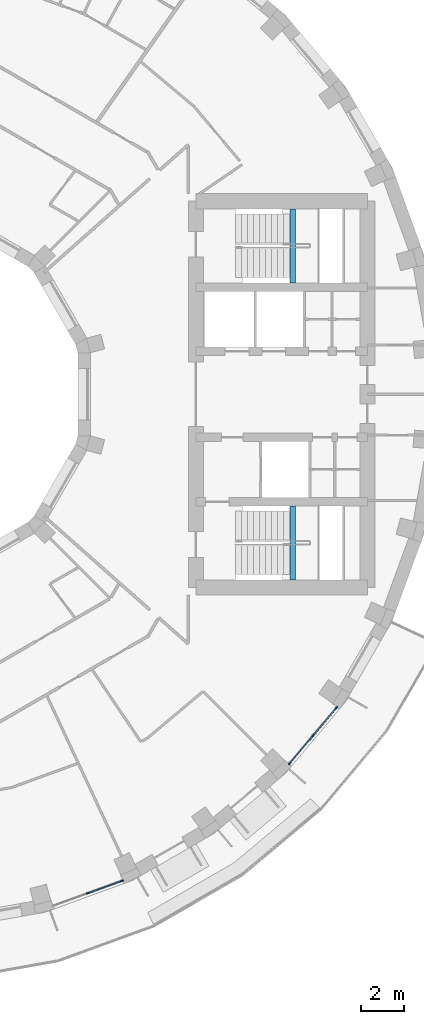
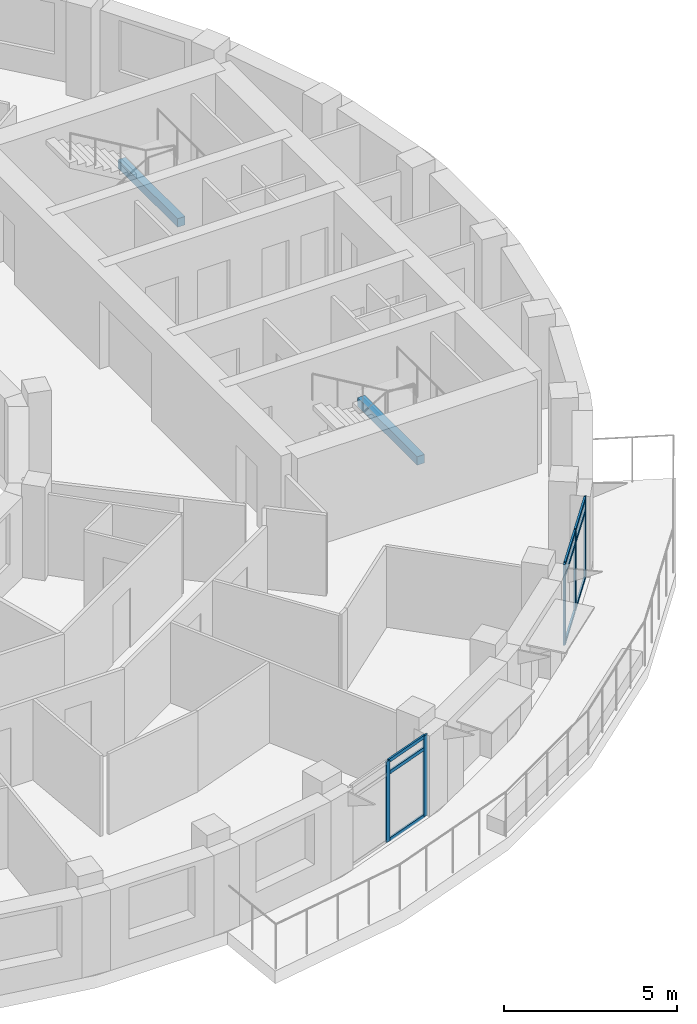
# One storey, part 4 of 15: 14 members, 2 beams, 2 elements without a shape of their own.
"""IFC4 building model written with IfcOpenShell, lengths in metres."""

from ifc_helpers import new_model, si_unit, direction, frame, origin, origin_2d, place, context, subcontext, project, spatial, rectangle, extrude, material, layer, layer_set, material_profile, profile_set, type_object, element, aggregate, save


model = new_model("IFC4")

# Units and contexts
model_context = context("Model", 3, precision=1e-05, world=origin(), true_north=direction((0.0, 1.0)))
body_context = subcontext(model_context, "Body", "Model", "MODEL_VIEW")
ifc_project = project(units=[si_unit("LENGTHUNIT", "METRE"), si_unit("AREAUNIT", "SQUARE_METRE"), si_unit("VOLUMEUNIT", "CUBIC_METRE"), si_unit("PLANEANGLEUNIT", "RADIAN"), si_unit("MASSUNIT", "GRAM", prefix="KILO")], contexts=[model_context])

# Site, building, storey
site_placement = place(None, origin())
site = spatial("IfcSite", under=ifc_project, at=site_placement, CompositionType="ELEMENT")
building_placement = place(site_placement, origin())
building = spatial("IfcBuilding", under=site, at=building_placement, Name="Saqina Gate Tower", CompositionType="ELEMENT")
storey_placement = place(building_placement, frame((0.0, 0.0, 160.800048828125)))
storey = spatial("IfcBuildingStorey", under=building, at=storey_placement, Name="L45", CompositionType="ELEMENT", Elevation=160.800048828125)

# Curtain wall, members
ifc_material_1 = material(Name="Aluminium glazing", Category="aluminium")
ifc_layer = layer(ifc_material_1, 0.159912109375)
ifc_layer_set = layer_set([ifc_layer], Name="CWT-4")
curtain_wall_type = type_object("IfcCurtainWallType", Name="CWT-4", PredefinedType="NOTDEFINED", material=ifc_layer_set)
curtain_wall_1_placement = place(storey_placement, origin())
curtain_wall_1 = element("IfcCurtainWall", 1, at=curtain_wall_1_placement, inside=storey, type_object=curtain_wall_type, Name="Terrace lounge glazing facet 29", PredefinedType="NOTDEFINED")
ifc_material_2 = material(Name="Aluminium", Category="aluminium")
ifc_material_profile_1 = material_profile(ifc_material_2, rectangle(XDim=0.06005859375, YDim=0.159912109375, at=origin_2d()), Name="Aluminium 60x160")
ifc_profile_set_1 = profile_set([ifc_material_profile_1], Name="Aluminium")
member_type_1 = type_object("IfcMemberType", Name="CWT-4M", PredefinedType="MULLION", material=ifc_profile_set_1)
member_1_placement = place(storey_placement, frame((8.466552734375, -23.261962890625, 0.0), z_axis=(0.0, 0.0, 1.0), x_axis=(-0.342024671777, 0.939690972552, 0.0)))
member_1 = element("IfcMember", 2, at=member_1_placement, type_object=member_type_1, Name="CW4-29 mullion 2", PredefinedType="MULLION", context=body_context, shape_type="SweptSolid", body=[
    extrude(rectangle(XDim=0.06005859375, YDim=0.159912109375, at=origin_2d()), origin(), (0.0, 0.0, 1.0), 2.849853515625),
])
member_2_placement = place(storey_placement, frame((10.059326171875, -22.682373046875, 0.0), z_axis=(0.0, 0.0, 1.0), x_axis=(-0.342024671777, 0.939690972552, 0.0)))
member_2 = element("IfcMember", 3, at=member_2_placement, type_object=member_type_1, Name="CW4-29 mullion 3", PredefinedType="MULLION", context=body_context, shape_type="SweptSolid", body=[
    extrude(rectangle(XDim=0.06005859375, YDim=0.159912109375, at=origin_2d()), origin(), (0.0, 0.0, 1.0), 2.849853515625),
])

curtain_wall_2_placement = place(storey_placement, origin())
curtain_wall_2 = element("IfcCurtainWall", 4, at=curtain_wall_2_placement, inside=storey, type_object=curtain_wall_type, Name="Terrace lounge glazing facet 32", PredefinedType="NOTDEFINED")
member_3_placement = place(storey_placement, frame((17.873779296875, -17.21044921875, 0.0), z_axis=(0.0, 0.0, 1.0), x_axis=(-0.766042815286, 0.642789549658, 0.0)))
member_3 = element("IfcMember", 5, at=member_3_placement, type_object=member_type_1, Name="CW4-32 mullion 1", PredefinedType="MULLION", context=body_context, shape_type="SweptSolid", body=[
    extrude(rectangle(XDim=0.06005859375, YDim=0.159912109375, at=origin_2d()), origin(), (0.0, 0.0, 1.0), 2.849853515625),
])
member_4_placement = place(storey_placement, frame((18.96337890625, -15.912109375, 0.0), z_axis=(0.0, 0.0, 1.0), x_axis=(-0.766042815286, 0.642789549658, 0.0)))
member_4 = element("IfcMember", 6, at=member_4_placement, type_object=member_type_1, Name="CW4-32 mullion 2", PredefinedType="MULLION", context=body_context, shape_type="SweptSolid", body=[
    extrude(rectangle(XDim=0.06005859375, YDim=0.159912109375, at=origin_2d()), origin(), (0.0, 0.0, 1.0), 2.849853515625),
])
member_5_placement = place(storey_placement, frame((20.052734375, -14.61376953125, 0.0), z_axis=(0.0, 0.0, 1.0), x_axis=(-0.766042815286, 0.642789549658, 0.0)))
member_5 = element("IfcMember", 7, at=member_5_placement, type_object=member_type_1, Name="CW4-32 mullion 3", PredefinedType="MULLION", context=body_context, shape_type="SweptSolid", body=[
    extrude(rectangle(XDim=0.06005859375, YDim=0.159912109375, at=origin_2d()), origin(), (0.0, 0.0, 1.0), 2.849853515625),
])

# Member
ifc_material_3 = material(Name="Aluminium", Category="aluminium")
ifc_material_profile_2 = material_profile(ifc_material_3, rectangle(XDim=0.06005859375, YDim=0.1201171875, at=origin_2d()), Name="Aluminium 60x120")
ifc_profile_set_2 = profile_set([ifc_material_profile_2], Name="Aluminium")
member_type_2 = type_object("IfcMemberType", Name="CWT-4T", PredefinedType="USERDEFINED", material=ifc_profile_set_2)
member_6_placement = place(storey_placement, frame((8.494873046875, -23.251708984375, 0.030029296875), z_axis=(0.939697454915, 0.342006861373, 0.0), x_axis=(-0.342006861373, 0.939697454915, 0.0)))
member_6 = element("IfcMember", 8, at=member_6_placement, type_object=member_type_2, Name="CW4-29 transom 2.1", ObjectType="TRANSOM", PredefinedType="USERDEFINED", context=body_context, shape_type="SweptSolid", body=[
    extrude(rectangle(XDim=0.06005859375, YDim=0.1201171875, at=origin_2d()), origin(), (0.0, 0.0, 1.0), 1.634765625),
])

member_7_placement = place(storey_placement, frame((8.494873046875, -23.251708984375, 2.39990234375), z_axis=(0.939697454915, 0.342006861373, 0.0), x_axis=(-0.342006861373, 0.939697454915, 0.0)))
member_7 = element("IfcMember", 9, at=member_7_placement, type_object=member_type_2, Name="CW4-29 transom 2.2", ObjectType="TRANSOM", PredefinedType="USERDEFINED", context=body_context, shape_type="SweptSolid", body=[
    extrude(rectangle(XDim=0.06005859375, YDim=0.1201171875, at=origin_2d()), origin(), (0.0, 0.0, 1.0), 1.634765625),
])

member_8_placement = place(storey_placement, frame((8.494873046875, -23.251708984375, 2.820068359375), z_axis=(0.939697454915, 0.342006861373, 0.0), x_axis=(-0.342006861373, 0.939697454915, 0.0)))
member_8 = element("IfcMember", 10, at=member_8_placement, type_object=member_type_2, Name="CW4-29 transom 2.3", ObjectType="TRANSOM", PredefinedType="USERDEFINED", context=body_context, shape_type="SweptSolid", body=[
    extrude(rectangle(XDim=0.06005859375, YDim=0.1201171875, at=origin_2d()), origin(), (0.0, 0.0, 1.0), 1.634765625),
])

aggregate(curtain_wall_1, [member_1, member_2, member_6, member_7, member_8])

member_9_placement = place(storey_placement, frame((17.89306640625, -17.1875, 0.030029296875), z_axis=(0.642824314284, 0.766013642806, 0.0), x_axis=(-0.766013642806, 0.642824314284, 0.0)))
member_9 = element("IfcMember", 11, at=member_9_placement, type_object=member_type_2, Name="CW4-32 transom 1.1", ObjectType="TRANSOM", PredefinedType="USERDEFINED", context=body_context, shape_type="SweptSolid", body=[
    extrude(rectangle(XDim=0.06005859375, YDim=0.1201171875, at=origin_2d()), origin(), (0.0, 0.0, 1.0), 1.635009765625),
])

member_10_placement = place(storey_placement, frame((17.89306640625, -17.1875, 2.39990234375), z_axis=(0.642824314284, 0.766013642806, 0.0), x_axis=(-0.766013642806, 0.642824314284, 0.0)))
member_10 = element("IfcMember", 12, at=member_10_placement, type_object=member_type_2, Name="CW4-32 transom 1.2", ObjectType="TRANSOM", PredefinedType="USERDEFINED", context=body_context, shape_type="SweptSolid", body=[
    extrude(rectangle(XDim=0.06005859375, YDim=0.1201171875, at=origin_2d()), origin(), (0.0, 0.0, 1.0), 1.635009765625),
])

member_11_placement = place(storey_placement, frame((17.89306640625, -17.1875, 2.820068359375), z_axis=(0.642824314284, 0.766013642806, 0.0), x_axis=(-0.766013642806, 0.642824314284, 0.0)))
member_11 = element("IfcMember", 13, at=member_11_placement, type_object=member_type_2, Name="CW4-32 transom 1.3", ObjectType="TRANSOM", PredefinedType="USERDEFINED", context=body_context, shape_type="SweptSolid", body=[
    extrude(rectangle(XDim=0.06005859375, YDim=0.1201171875, at=origin_2d()), origin(), (0.0, 0.0, 1.0), 1.635009765625),
])

member_12_placement = place(storey_placement, frame((18.982666015625, -15.88916015625, 0.030029296875), z_axis=(0.642736683908, 0.766087172037, 0.0), x_axis=(-0.766087172037, 0.642736683908, 0.0)))
member_12 = element("IfcMember", 14, at=member_12_placement, type_object=member_type_2, Name="CW4-32 transom 2.1", ObjectType="TRANSOM", PredefinedType="USERDEFINED", context=body_context, shape_type="SweptSolid", body=[
    extrude(rectangle(XDim=0.06005859375, YDim=0.1201171875, at=origin_2d()), origin(), (0.0, 0.0, 1.0), 1.634765625),
])

member_13_placement = place(storey_placement, frame((18.982666015625, -15.88916015625, 2.39990234375), z_axis=(0.642736683908, 0.766087172037, 0.0), x_axis=(-0.766087172037, 0.642736683908, 0.0)))
member_13 = element("IfcMember", 15, at=member_13_placement, type_object=member_type_2, Name="CW4-32 transom 2.2", ObjectType="TRANSOM", PredefinedType="USERDEFINED", context=body_context, shape_type="SweptSolid", body=[
    extrude(rectangle(XDim=0.06005859375, YDim=0.1201171875, at=origin_2d()), origin(), (0.0, 0.0, 1.0), 1.634765625),
])

member_14_placement = place(storey_placement, frame((18.982666015625, -15.88916015625, 2.820068359375), z_axis=(0.642736683908, 0.766087172037, 0.0), x_axis=(-0.766087172037, 0.642736683908, 0.0)))
member_14 = element("IfcMember", 16, at=member_14_placement, type_object=member_type_2, Name="CW4-32 transom 2.3", ObjectType="TRANSOM", PredefinedType="USERDEFINED", context=body_context, shape_type="SweptSolid", body=[
    extrude(rectangle(XDim=0.06005859375, YDim=0.1201171875, at=origin_2d()), origin(), (0.0, 0.0, 1.0), 1.634765625),
])

aggregate(curtain_wall_2, [member_3, member_4, member_5, member_9, member_10, member_11, member_12, member_13, member_14])

# Beams
ifc_material_4 = material(Name="Concrete C40/50", Category="concrete")
ifc_material_profile_3 = material_profile(ifc_material_4, rectangle(XDim=0.25, YDim=0.300048828125, at=origin_2d()), Name="STAIR LANDING BEAM")
ifc_profile_set_3 = profile_set([ifc_material_profile_3], Name="Concrete C40/50")
beam_type = type_object("IfcBeamType", Name="STAIR LANDING BEAM", PredefinedType="BEAM", material=ifc_profile_set_3)
for number, where, z_axis, x_axis, name in (
    (17, (18.02001953125, 5.199951171875, 1.25), (0.0, 1.0, 0.0), (-1.0, 0.0, 0.0), "EXIT STAIR 1 LANDING BEAM"),
    (18, (18.02001953125, -8.64990234375, 1.25), (0.0, 1.0, 0.0), (-1.0, 0.0, 0.0), "EXIT STAIR 2 LANDING BEAM"),
):
    element("IfcBeam", number, at=place(storey_placement, frame(where, z_axis=z_axis, x_axis=x_axis)), inside=storey, type_object=beam_type, Name=name, PredefinedType="BEAM", context=body_context, shape_type="SweptSolid", body=[
        extrude(rectangle(XDim=0.25, YDim=0.300048828125, at=origin_2d()), origin(), (0.0, 0.0, 1.0), 3.449951171875),
    ])

save(model, "model.ifc")
